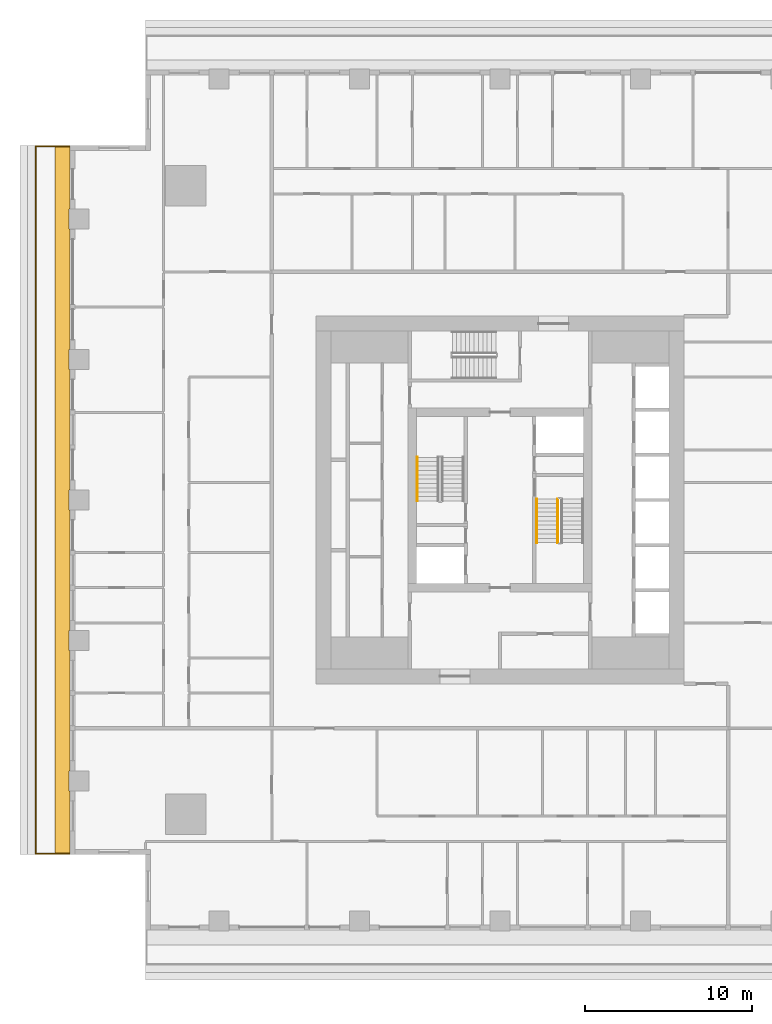
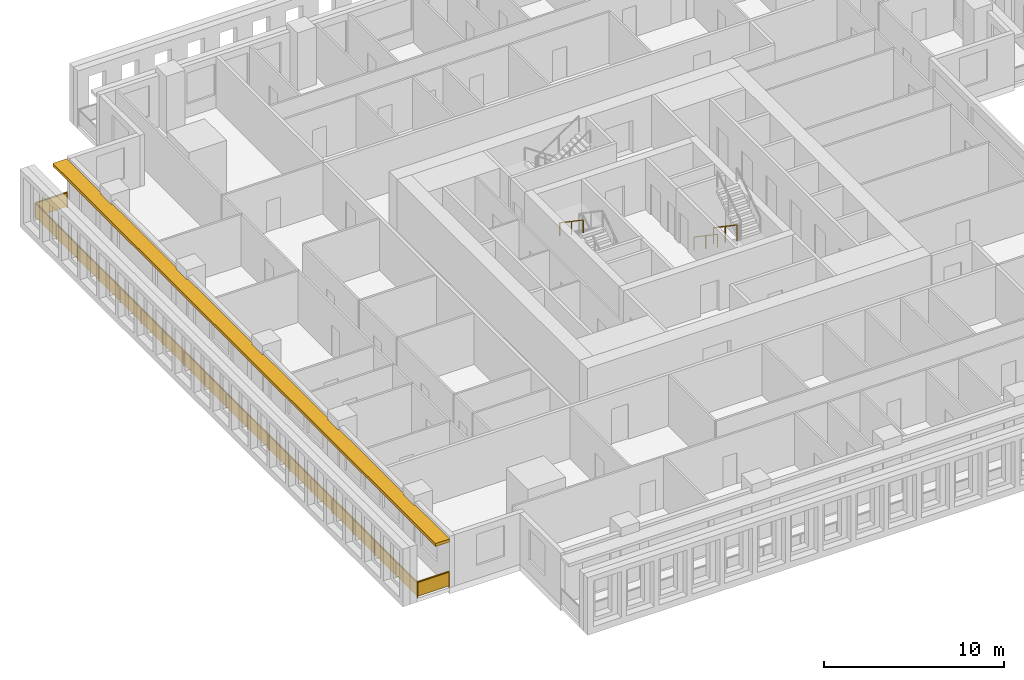
# One storey, part 11 of 15: 4 railings, 1 shading device.
"""IFC4 building model written with IfcOpenShell, lengths in metres."""

import ifcopenshell
import ifcopenshell.guid

model = None  # the IFC model being written
_history = None  # IfcOwnerHistory: only IFC2X3 demands one
_inside = {}  # id of a spatial element -> (the spatial element, [elements in it])
_under = {}  # id of a project, library or spatial element -> (it, [spatial elements below it])
_declared = {}  # id of a project -> (the project, [libraries it declares])
_typed = {}  # id of a type object -> (the type object, [elements of that type])
_made_of = {}  # id of a material, layer set ... -> (it, [elements and type objects made of it])


def new_model(schema):
    """Start an empty IFC model of exactly this schema.

    Asked for "IFC4X3", IfcOpenShell would pick the latest addendum, in which some entities
    have other attributes; the version numbers below select the first issue.
    IFC2X3 requires an IfcOwnerHistory on every rooted entity: one is made here for all.
    """
    global model, _history
    if schema == "IFC4X3":
        model = ifcopenshell.file(schema_version=(4, 3, 0, 0))
    else:
        model = ifcopenshell.file(schema=schema)
    _inside.clear()
    _under.clear()
    _declared.clear()
    _typed.clear()
    _made_of.clear()
    _history = None
    if model.schema == "IFC2X3":
        org = make("IfcOrganization", Name="unknown")
        user = make(
            "IfcPersonAndOrganization",
            ThePerson=make("IfcPerson", FamilyName="unknown"),
            TheOrganization=org,
        )
        app = make(
            "IfcApplication",
            ApplicationDeveloper=org,
            Version="unknown",
            ApplicationFullName="unknown",
            ApplicationIdentifier="unknown",
        )
        _history = make(
            "IfcOwnerHistory",
            OwningUser=user,
            OwningApplication=app,
            ChangeAction="ADDED",
            CreationDate=0,
        )
    return model


def make(cls, **values):
    """One entity of the class cls with the attributes given. An attribute that is None is left unset."""
    return model.create_entity(
        cls, **{name: value for name, value in values.items() if value is not None}
    )


def rooted(cls, **values):
    """An entity with a GlobalId (a new one), such as an element, a storey or a relation."""
    return make(cls, GlobalId=ifcopenshell.guid.new(), OwnerHistory=_history, **values)


def si_unit(unit_type, name, prefix=None):
    """IfcSIUnit, for example si_unit("LENGTHUNIT", "METRE", prefix="MILLI")."""
    return make("IfcSIUnit", UnitType=unit_type, Prefix=prefix, Name=name)


def assignment(units):
    """IfcUnitAssignment: the units of a project."""
    return None if units is None else make("IfcUnitAssignment", Units=units)


def point(xyz):
    """IfcCartesianPoint."""
    return None if xyz is None else make("IfcCartesianPoint", Coordinates=xyz)


def direction(xyz):
    """IfcDirection."""
    return None if xyz is None else make("IfcDirection", DirectionRatios=xyz)


def frame(location, z_axis=None, x_axis=None):
    """IfcAxis2Placement3D, a coordinate frame: its origin and axes. An axis left out is left unset."""
    return make(
        "IfcAxis2Placement3D",
        Location=point(location),
        Axis=direction(z_axis),
        RefDirection=direction(x_axis),
    )


def frame_2d(location, x_axis=None):
    """IfcAxis2Placement2D, a coordinate frame in the plane: its origin and x axis."""
    return make(
        "IfcAxis2Placement2D", Location=point(location), RefDirection=direction(x_axis)
    )


def origin():
    """The frame at (0, 0, 0) with its axes left unset."""
    return frame((0.0, 0.0, 0.0))


def origin_2d():
    """The frame at (0, 0) in the plane with its x axis left unset."""
    return frame_2d((0.0, 0.0))


def place(relative_to, where):
    """IfcLocalPlacement: puts the frame where relative to a parent placement (None: the world)."""
    return make(
        "IfcLocalPlacement", PlacementRelTo=relative_to, RelativePlacement=where
    )


def context(
    kind, dimensions, precision=None, world=None, true_north=None, identifier=None
):
    """IfcGeometricRepresentationContext, for example the 3D "Model" context."""
    return make(
        "IfcGeometricRepresentationContext",
        ContextIdentifier=identifier,
        ContextType=kind,
        CoordinateSpaceDimension=dimensions,
        Precision=precision,
        WorldCoordinateSystem=world,
        TrueNorth=true_north,
    )


def subcontext(parent, identifier, kind, view, scale=None):
    """IfcGeometricRepresentationSubContext, for example "Body" below "Model"."""
    return make(
        "IfcGeometricRepresentationSubContext",
        ContextIdentifier=identifier,
        ContextType=kind,
        ParentContext=parent,
        TargetScale=scale,
        TargetView=view,
    )


def project(units=None, contexts=None):
    """IfcProject with its units and contexts."""
    return rooted(
        "IfcProject",
        Name="project",
        RepresentationContexts=contexts,
        UnitsInContext=assignment(units),
    )


def spatial(cls, under=None, at=None, **own):
    """A site, building, storey or space (cls), placed at a placement, below another one or the project."""
    s = rooted(cls, ObjectPlacement=at, **own)
    if under is not None:
        _under.setdefault(under.id(), (under, []))[1].append(s)
    return s


def polyline(points):
    """IfcPolyline through the points."""
    return make("IfcPolyline", Points=[point(p) for p in points])


def profile(cls, at=None, kind="AREA", **sizes):
    """A parametric profile (cls). Its sizes go by their IFC names, for example OverallWidth=200.0."""
    return make(cls, ProfileType=kind, Position=at, **sizes)


def rectangle(**sizes):
    """IfcRectangleProfileDef."""
    return profile("IfcRectangleProfileDef", **sizes)


def outline(outer, holes=None, kind="AREA"):
    """IfcArbitraryClosedProfileDef: a profile drawn as a closed curve; with holes, ...WithVoids."""
    if holes is None:
        return make("IfcArbitraryClosedProfileDef", ProfileType=kind, OuterCurve=outer)
    return make(
        "IfcArbitraryProfileDefWithVoids",
        ProfileType=kind,
        OuterCurve=outer,
        InnerCurves=holes,
    )


def extrude(swept, where, along, depth):
    """IfcExtrudedAreaSolid: the profile swept, set in the frame where, extruded along a direction by depth."""
    return make(
        "IfcExtrudedAreaSolid",
        SweptArea=swept,
        Position=where,
        ExtrudedDirection=direction(along),
        Depth=depth,
    )


def shape(context_of_items, identifier, shape_type, items):
    """IfcShapeRepresentation: the items that make up one representation, for example the "Body"."""
    return make(
        "IfcShapeRepresentation",
        ContextOfItems=context_of_items,
        RepresentationIdentifier=identifier,
        RepresentationType=shape_type,
        Items=items,
    )


def material(Name=None, Category=None):
    """IfcMaterial."""
    return make("IfcMaterial", Name=Name, Category=Category)


def layer(
    of_material, thickness, ventilated=None, Name=None, Category=None, Priority=None
):
    """IfcMaterialLayer: one layer of a wall or slab, of a material (None: an air gap)."""
    return make(
        "IfcMaterialLayer",
        Material=of_material,
        LayerThickness=thickness,
        IsVentilated=ventilated,
        Name=Name,
        Category=Category,
        Priority=Priority,
    )


def layer_set(layers, Name=None):
    """IfcMaterialLayerSet."""
    return make("IfcMaterialLayerSet", MaterialLayers=layers, LayerSetName=Name)


def made_of(thing, what):
    """Note that an element or type object is made of a material, layer set ...; save() writes the relation."""
    if what is not None:
        _made_of.setdefault(what.id(), (what, []))[1].append(thing)
    return thing


def type_object(cls, material=None, **own):
    """A type object (cls), such as IfcWallType, which elements share."""
    return made_of(rooted(cls, **own), material)


def element(
    cls,
    number,
    at=None,
    inside=None,
    cuts=None,
    type_object=None,
    material=None,
    context=None,
    identifier="Body",
    shape_type=None,
    held_by="IfcProductDefinitionShape",
    body=None,
    shapes=None,
    **own,
):
    """One element of the class cls, such as IfcWall. Its Tag is "e" and its number.

    at: its placement. inside: the storey or other place that contains it. cuts: it is an
    opening in that element (IfcRelVoidsElement). A single representation is given by context,
    identifier, shape_type and body (its items); several are given by shapes. held_by: the class
    of the entity that holds the representations. save() writes the other relations.
    """
    e = rooted(cls, Tag="e%d" % number, ObjectPlacement=at, **own)
    if body is not None:
        shapes = [shape(context, identifier, shape_type, body)]
    if shapes is not None:
        e.Representation = make(held_by, Representations=shapes)
    if inside is not None:
        _inside.setdefault(inside.id(), (inside, []))[1].append(e)
    if cuts is not None:
        rooted(
            "IfcRelVoidsElement", RelatingBuildingElement=cuts, RelatedOpeningElement=e
        )
    if type_object is not None:
        _typed.setdefault(type_object.id(), (type_object, []))[1].append(e)
    return made_of(e, material)


def aggregate(whole, parts):
    """IfcRelAggregates: a whole, such as a stair, and the parts it consists of."""
    return rooted("IfcRelAggregates", RelatingObject=whole, RelatedObjects=parts)


def save(model, path):
    """Write the relations noted so far, then the file.

    IfcRelAggregates (storeys below a building ...), IfcRelContainedInSpatialStructure (elements
    in a storey), IfcRelDefinesByType, IfcRelAssociatesMaterial and IfcRelDeclares: one each for
    every whole, place, type object, material and project.
    """
    for whole, parts in _under.values():
        aggregate(whole, parts)
    for where, things in _inside.values():
        rooted(
            "IfcRelContainedInSpatialStructure",
            RelatedElements=things,
            RelatingStructure=where,
        )
    for kind, things in _typed.values():
        rooted("IfcRelDefinesByType", RelatedObjects=things, RelatingType=kind)
    for what, things in _made_of.values():
        rooted("IfcRelAssociatesMaterial", RelatedObjects=things, RelatingMaterial=what)
    for by, libraries in _declared.values():
        rooted("IfcRelDeclares", RelatingContext=by, RelatedDefinitions=libraries)
    model.write(path)


model = new_model("IFC4")

# Units and contexts
model_context = context("Model", 3, precision=1e-05, world=origin(), true_north=direction((0.0, 1.0)))
body_context = subcontext(model_context, "Body", "Model", "MODEL_VIEW")
ifc_project = project(units=[si_unit("LENGTHUNIT", "METRE"), si_unit("AREAUNIT", "SQUARE_METRE"), si_unit("VOLUMEUNIT", "CUBIC_METRE"), si_unit("PLANEANGLEUNIT", "RADIAN"), si_unit("MASSUNIT", "GRAM", prefix="KILO")], contexts=[model_context])

# Site, building, storey
site_placement = place(None, origin())
site = spatial("IfcSite", under=ifc_project, at=site_placement, CompositionType="ELEMENT")
building_placement = place(site_placement, origin())
building = spatial("IfcBuilding", under=site, at=building_placement, Name="Khepri Terraces", CompositionType="ELEMENT")
storey_placement = place(building_placement, frame((0.0, 0.0, 200.10009765625)))
storey = spatial("IfcBuildingStorey", under=building, at=storey_placement, Name="L47", CompositionType="ELEMENT", Elevation=200.10009765625)

# Railings
ifc_material_1 = material(Name="Stainless steel grade 316", Category="steel")
railing_type_1 = type_object("IfcRailingType", Name="GRD-BAL-1100", PredefinedType="GUARDRAIL", material=ifc_material_1)
railing_1_placement = place(storey_placement, frame((-25.719970703125, 21.169921875, 0.0)))
element("IfcRailing", 1, at=railing_1_placement, inside=storey, type_object=railing_type_1, Name="Balcony guard L47 W", PredefinedType="GUARDRAIL", context=body_context, shape_type="SweptSolid", body=[
    extrude(rectangle(XDim=0.050048828125, YDim=0.06005859375, at=origin_2d()), frame((0.0, 0.0, 1.070068359375), z_axis=(-1.0, 0.0, 0.0), x_axis=(0.0, -1.0, 0.0)), (0.0, 0.0, 1.0), 2.050048828125),
    extrude(rectangle(XDim=2.0, YDim=0.011962890625, at=origin_2d()), frame((-1.02490234375, 0.0, 0.10009765625), z_axis=(0.0, 0.0, 1.0), x_axis=(-1.0, 0.0, 0.0)), (0.0, 0.0, 1.0), 0.93994140625),
    extrude(rectangle(XDim=0.050048828125, YDim=0.06005859375, at=origin_2d()), frame((-2.050048828125, 0.0, 1.070068359375), z_axis=(0.0, -1.0, 0.0), x_axis=(1.0, 0.0, 0.0)), (0.0, 0.0, 1.0), 42.33984375),
    extrude(rectangle(XDim=2.30224609375, YDim=0.011962890625, at=origin_2d()), frame((-2.050048828125, -1.176025390625, 0.10009765625), z_axis=(0.0, 0.0, 1.0), x_axis=(0.0, -1.0, 0.0)), (0.0, 0.0, 1.0), 0.93994140625),
    extrude(rectangle(XDim=2.30224609375, YDim=0.011962890625, at=origin_2d()), frame((-2.050048828125, -3.5283203125, 0.10009765625), z_axis=(0.0, 0.0, 1.0), x_axis=(0.0, -1.0, 0.0)), (0.0, 0.0, 1.0), 0.93994140625),
    extrude(rectangle(XDim=2.30224609375, YDim=0.011962890625, at=origin_2d()), frame((-2.050048828125, -5.880615234375, 0.10009765625), z_axis=(0.0, 0.0, 1.0), x_axis=(0.0, -1.0, 0.0)), (0.0, 0.0, 1.0), 0.93994140625),
    extrude(rectangle(XDim=2.30224609375, YDim=0.011962890625, at=origin_2d()), frame((-2.050048828125, -8.232666015625, 0.10009765625), z_axis=(0.0, 0.0, 1.0), x_axis=(0.0, -1.0, 0.0)), (0.0, 0.0, 1.0), 0.93994140625),
    extrude(rectangle(XDim=2.30224609375, YDim=0.011962890625, at=origin_2d()), frame((-2.050048828125, -10.5849609375, 0.10009765625), z_axis=(0.0, 0.0, 1.0), x_axis=(0.0, -1.0, 0.0)), (0.0, 0.0, 1.0), 0.93994140625),
    extrude(rectangle(XDim=2.30224609375, YDim=0.011962890625, at=origin_2d()), frame((-2.050048828125, -12.937255859375, 0.10009765625), z_axis=(0.0, 0.0, 1.0), x_axis=(0.0, -1.0, 0.0)), (0.0, 0.0, 1.0), 0.93994140625),
    extrude(rectangle(XDim=2.30224609375, YDim=0.011962890625, at=origin_2d()), frame((-2.050048828125, -15.289306640625, 0.10009765625), z_axis=(0.0, 0.0, 1.0), x_axis=(0.0, -1.0, 0.0)), (0.0, 0.0, 1.0), 0.93994140625),
    extrude(rectangle(XDim=2.30224609375, YDim=0.011962890625, at=origin_2d()), frame((-2.050048828125, -17.6416015625, 0.10009765625), z_axis=(0.0, 0.0, 1.0), x_axis=(0.0, -1.0, 0.0)), (0.0, 0.0, 1.0), 0.93994140625),
    extrude(rectangle(XDim=2.30224609375, YDim=0.011962890625, at=origin_2d()), frame((-2.050048828125, -19.993896484375, 0.10009765625), z_axis=(0.0, 0.0, 1.0), x_axis=(0.0, -1.0, 0.0)), (0.0, 0.0, 1.0), 0.93994140625),
    extrude(rectangle(XDim=2.30224609375, YDim=0.011962890625, at=origin_2d()), frame((-2.050048828125, -22.345947265625, 0.10009765625), z_axis=(0.0, 0.0, 1.0), x_axis=(0.0, -1.0, 0.0)), (0.0, 0.0, 1.0), 0.93994140625),
    extrude(rectangle(XDim=2.30224609375, YDim=0.011962890625, at=origin_2d()), frame((-2.050048828125, -24.6982421875, 0.10009765625), z_axis=(0.0, 0.0, 1.0), x_axis=(0.0, -1.0, 0.0)), (0.0, 0.0, 1.0), 0.93994140625),
    extrude(rectangle(XDim=2.30224609375, YDim=0.011962890625, at=origin_2d()), frame((-2.050048828125, -27.050537109375, 0.10009765625), z_axis=(0.0, 0.0, 1.0), x_axis=(0.0, -1.0, 0.0)), (0.0, 0.0, 1.0), 0.93994140625),
    extrude(rectangle(XDim=2.30224609375, YDim=0.011962890625, at=origin_2d()), frame((-2.050048828125, -29.402587890625, 0.10009765625), z_axis=(0.0, 0.0, 1.0), x_axis=(0.0, -1.0, 0.0)), (0.0, 0.0, 1.0), 0.93994140625),
    extrude(rectangle(XDim=2.30224609375, YDim=0.011962890625, at=origin_2d()), frame((-2.050048828125, -31.7548828125, 0.10009765625), z_axis=(0.0, 0.0, 1.0), x_axis=(0.0, -1.0, 0.0)), (0.0, 0.0, 1.0), 0.93994140625),
    extrude(rectangle(XDim=2.30224609375, YDim=0.011962890625, at=origin_2d()), frame((-2.050048828125, -34.107177734375, 0.10009765625), z_axis=(0.0, 0.0, 1.0), x_axis=(0.0, -1.0, 0.0)), (0.0, 0.0, 1.0), 0.93994140625),
    extrude(rectangle(XDim=2.30224609375, YDim=0.011962890625, at=origin_2d()), frame((-2.050048828125, -36.459228515625, 0.10009765625), z_axis=(0.0, 0.0, 1.0), x_axis=(0.0, -1.0, 0.0)), (0.0, 0.0, 1.0), 0.93994140625),
    extrude(rectangle(XDim=2.30224609375, YDim=0.011962890625, at=origin_2d()), frame((-2.050048828125, -38.8115234375, 0.10009765625), z_axis=(0.0, 0.0, 1.0), x_axis=(0.0, -1.0, 0.0)), (0.0, 0.0, 1.0), 0.93994140625),
    extrude(rectangle(XDim=2.30224609375, YDim=0.011962890625, at=origin_2d()), frame((-2.050048828125, -41.163818359375, 0.10009765625), z_axis=(0.0, 0.0, 1.0), x_axis=(0.0, -1.0, 0.0)), (0.0, 0.0, 1.0), 0.93994140625),
    extrude(rectangle(XDim=0.050048828125, YDim=0.06005859375, at=origin_2d()), frame((-2.050048828125, -42.33984375, 1.070068359375), z_axis=(1.0, 0.0, 0.0), x_axis=(0.0, 1.0, 0.0)), (0.0, 0.0, 1.0), 2.050048828125),
    extrude(rectangle(XDim=2.0, YDim=0.011962890625, at=origin_2d()), frame((-1.02490234375, -42.33984375, 0.10009765625), z_axis=(0.0, 0.0, 1.0), x_axis=(1.0, 0.0, 0.0)), (0.0, 0.0, 1.0), 0.93994140625),
    extrude(rectangle(XDim=0.050048828125, YDim=0.050048828125, at=origin_2d()), origin(), (0.0, 0.0, 1.0), 1.0400390625),
    extrude(rectangle(XDim=0.050048828125, YDim=0.050048828125, at=origin_2d()), frame((-2.050048828125, 0.0, 0.0)), (0.0, 0.0, 1.0), 1.0400390625),
    extrude(rectangle(XDim=0.050048828125, YDim=0.050048828125, at=origin_2d()), frame((-2.050048828125, -2.352294921875, 0.0)), (0.0, 0.0, 1.0), 1.0400390625),
    extrude(rectangle(XDim=0.050048828125, YDim=0.050048828125, at=origin_2d()), frame((-2.050048828125, -4.704345703125, 0.0)), (0.0, 0.0, 1.0), 1.0400390625),
    extrude(rectangle(XDim=0.050048828125, YDim=0.050048828125, at=origin_2d()), frame((-2.050048828125, -7.056640625, 0.0)), (0.0, 0.0, 1.0), 1.0400390625),
    extrude(rectangle(XDim=0.050048828125, YDim=0.050048828125, at=origin_2d()), frame((-2.050048828125, -9.408935546875, 0.0)), (0.0, 0.0, 1.0), 1.0400390625),
    extrude(rectangle(XDim=0.050048828125, YDim=0.050048828125, at=origin_2d()), frame((-2.050048828125, -11.760986328125, 0.0)), (0.0, 0.0, 1.0), 1.0400390625),
    extrude(rectangle(XDim=0.050048828125, YDim=0.050048828125, at=origin_2d()), frame((-2.050048828125, -14.11328125, 0.0)), (0.0, 0.0, 1.0), 1.0400390625),
    extrude(rectangle(XDim=0.050048828125, YDim=0.050048828125, at=origin_2d()), frame((-2.050048828125, -16.465576171875, 0.0)), (0.0, 0.0, 1.0), 1.0400390625),
    extrude(rectangle(XDim=0.050048828125, YDim=0.050048828125, at=origin_2d()), frame((-2.050048828125, -18.817626953125, 0.0)), (0.0, 0.0, 1.0), 1.0400390625),
    extrude(rectangle(XDim=0.050048828125, YDim=0.050048828125, at=origin_2d()), frame((-2.050048828125, -21.169921875, 0.0)), (0.0, 0.0, 1.0), 1.0400390625),
    extrude(rectangle(XDim=0.050048828125, YDim=0.050048828125, at=origin_2d()), frame((-2.050048828125, -23.522216796875, 0.0)), (0.0, 0.0, 1.0), 1.0400390625),
    extrude(rectangle(XDim=0.050048828125, YDim=0.050048828125, at=origin_2d()), frame((-2.050048828125, -25.874267578125, 0.0)), (0.0, 0.0, 1.0), 1.0400390625),
    extrude(rectangle(XDim=0.050048828125, YDim=0.050048828125, at=origin_2d()), frame((-2.050048828125, -28.2265625, 0.0)), (0.0, 0.0, 1.0), 1.0400390625),
    extrude(rectangle(XDim=0.050048828125, YDim=0.050048828125, at=origin_2d()), frame((-2.050048828125, -30.578857421875, 0.0)), (0.0, 0.0, 1.0), 1.0400390625),
    extrude(rectangle(XDim=0.050048828125, YDim=0.050048828125, at=origin_2d()), frame((-2.050048828125, -32.930908203125, 0.0)), (0.0, 0.0, 1.0), 1.0400390625),
    extrude(rectangle(XDim=0.050048828125, YDim=0.050048828125, at=origin_2d()), frame((-2.050048828125, -35.283203125, 0.0)), (0.0, 0.0, 1.0), 1.0400390625),
    extrude(rectangle(XDim=0.050048828125, YDim=0.050048828125, at=origin_2d()), frame((-2.050048828125, -37.635498046875, 0.0)), (0.0, 0.0, 1.0), 1.0400390625),
    extrude(rectangle(XDim=0.050048828125, YDim=0.050048828125, at=origin_2d()), frame((-2.050048828125, -39.987548828125, 0.0)), (0.0, 0.0, 1.0), 1.0400390625),
    extrude(rectangle(XDim=0.050048828125, YDim=0.050048828125, at=origin_2d()), frame((-2.050048828125, -42.33984375, 0.0)), (0.0, 0.0, 1.0), 1.0400390625),
    extrude(rectangle(XDim=0.050048828125, YDim=0.050048828125, at=origin_2d()), frame((0.0, -42.33984375, 0.0)), (0.0, 0.0, 1.0), 1.0400390625),
])
ifc_material_2 = material(Name="Stainless steel 316", Category="steel")
railing_type_2 = type_object("IfcRailingType", Name="RL-CORE-GUARD", PredefinedType="GUARDRAIL", material=ifc_material_2)
railing_2_placement = place(storey_placement, frame((3.449951171875, 0.050048828125, 0.17724609375)))
element("IfcRailing", 2, at=railing_2_placement, inside=storey, type_object=railing_type_2, Name="L47 ST-2 stair guard 1", PredefinedType="GUARDRAIL", context=body_context, shape_type="SweptSolid", body=[
    extrude(rectangle(XDim=0.050048828125, YDim=0.06005859375, at=origin_2d()), frame((0.0, 0.0, 1.070068359375), z_axis=(0.0, -0.826240473404, 0.563317565952), x_axis=(1.0, 0.0, 0.0)), (0.0, 0.0, 1.0), 3.14697265625),
    extrude(rectangle(XDim=0.050048828125, YDim=0.050048828125, at=origin_2d()), origin(), (0.0, 0.0, 1.0), 1.0400390625),
    extrude(rectangle(XDim=0.050048828125, YDim=0.050048828125, at=origin_2d()), frame((0.0, -1.300048828125, 0.88623046875)), (0.0, 0.0, 1.0), 1.0400390625),
    extrude(rectangle(XDim=0.050048828125, YDim=0.050048828125, at=origin_2d()), frame((0.0, -2.60009765625, 1.772705078125)), (0.0, 0.0, 1.0), 1.0400390625),
])
railing_type_3 = type_object("IfcRailingType", Name="RL-CORE-HANDRAIL", PredefinedType="HANDRAIL", material=ifc_material_2)
for number, where, name in (
    (3, (-4.949951171875, 2.550048828125, 2.127197265625), "L47 ST-1 stair handrail 2"),
    (4, (2.199951171875, 0.050048828125, 0.17724609375), "L47 ST-2 stair handrail 1"),
):
    element("IfcRailing", number, at=place(storey_placement, frame(where)), inside=storey, type_object=railing_type_3, Name=name, PredefinedType="HANDRAIL", context=body_context, shape_type="SweptSolid", body=[
        extrude(rectangle(XDim=0.050048828125, YDim=0.050048828125, at=origin_2d()), frame((0.0, 0.0, 0.875), z_axis=(0.0, -0.826240473404, 0.563317565952), x_axis=(1.0, 0.0, 0.0)), (0.0, 0.0, 1.0), 3.14697265625),
        extrude(rectangle(XDim=0.050048828125, YDim=0.050048828125, at=origin_2d()), origin(), (0.0, 0.0, 1.0), 0.849853515625),
        extrude(rectangle(XDim=0.050048828125, YDim=0.050048828125, at=origin_2d()), frame((0.0, -1.300048828125, 0.88623046875)), (0.0, 0.0, 1.0), 0.849853515625),
        extrude(rectangle(XDim=0.050048828125, YDim=0.050048828125, at=origin_2d()), frame((0.0, -2.60009765625, 1.772705078125)), (0.0, 0.0, 1.0), 0.849853515625),
    ])

# Shading device
ifc_material_3 = material(Name="Precast concrete C50/60 warm stone", Category="masonry")
ifc_layer = layer(ifc_material_3, 0.199951171875, Name="Precast concrete C50/60 warm stone", Category="masonry")
ifc_layer_set = layer_set([ifc_layer], Name="Precast concrete C50/60 warm stone")
shading_device_type = type_object("IfcShadingDeviceType", Name="SSH-BAND-STONE-200", PredefinedType="USERDEFINED", material=ifc_layer_set)
shading_device_placement = place(storey_placement, frame((0.0, 0.0, 3.099853515625)))
element("IfcShadingDevice", 5, at=shading_device_placement, inside=storey, type_object=shading_device_type, Name="Sunshade band L47 W", ObjectType="SUNSHADE", PredefinedType="USERDEFINED", context=body_context, shape_type="SweptSolid", body=[
    extrude(outline(polyline([(-25.719970703125, 17.39990234375), (-25.719970703125, 21.219970703125), (-26.6201171875, 21.219970703125), (-26.6201171875, -21.219970703125), (-25.719970703125, -21.219970703125), (-25.719970703125, -17.39990234375), (-25.800048828125, -17.39990234375), (-25.800048828125, -16.199951171875), (-25.719970703125, -16.199951171875), (-25.719970703125, -9.0), (-25.800048828125, -9.0), (-25.800048828125, -7.800048828125), (-25.719970703125, -7.800048828125), (-25.719970703125, -0.60009765625), (-25.800048828125, -0.60009765625), (-25.800048828125, 0.60009765625), (-25.719970703125, 0.60009765625), (-25.719970703125, 7.800048828125), (-25.800048828125, 7.800048828125), (-25.800048828125, 9.0), (-25.719970703125, 9.0), (-25.719970703125, 16.199951171875), (-25.800048828125, 16.199951171875), (-25.800048828125, 17.39990234375), (-25.719970703125, 17.39990234375)])), origin(), (0.0, 0.0, 1.0), 0.199951171875),
])

save(model, "model.ifc")
